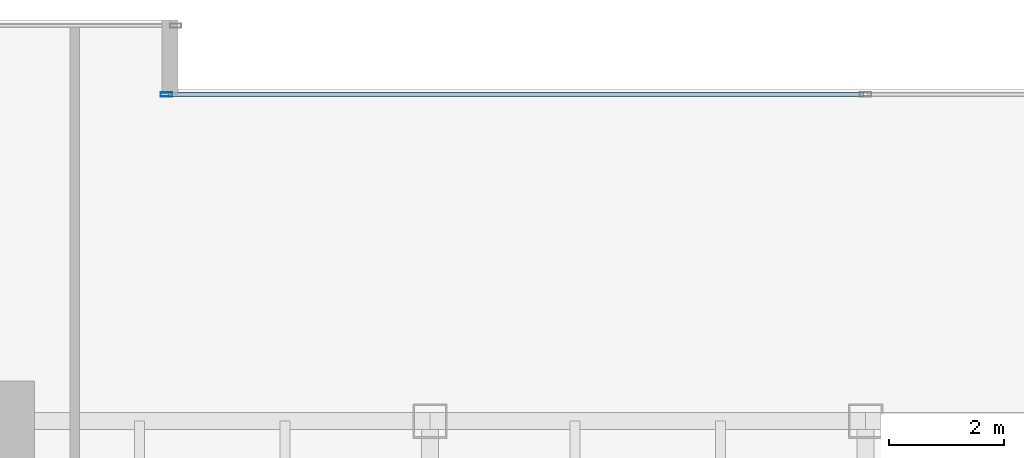
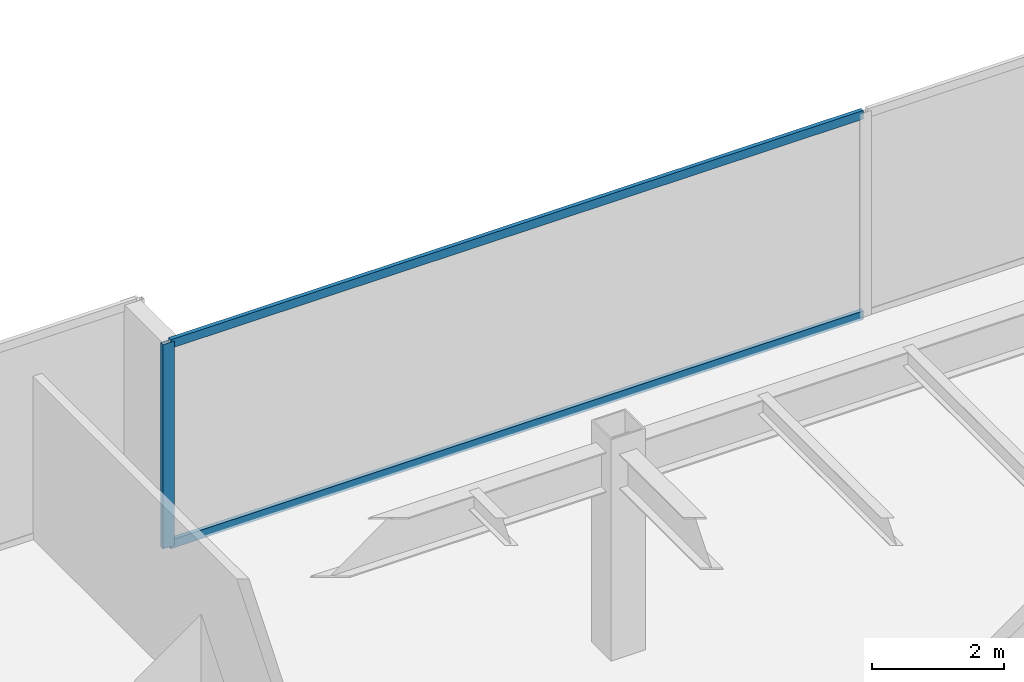
# One storey, part 14 of 35: 3 members, 1 element without a shape of its own.
"""IFC4 building model written with IfcOpenShell, lengths in metres."""

from ifc_helpers import new_model, si_unit, direction, frame, origin, origin_2d, place, context, subcontext, project, spatial, hollow_rectangle, extrude, source, transform, mapped, material, layer, layer_set, material_profile, profile_set, type_object, type_shapes, element, aggregate, save


model = new_model("IFC4")

# Units and contexts
model_context = context("Model", 3, precision=1e-05, world=origin(), true_north=direction((0.0, 1.0)))
body_context = subcontext(model_context, "Body", "Model", "MODEL_VIEW")
ifc_project = project(units=[si_unit("LENGTHUNIT", "METRE"), si_unit("AREAUNIT", "SQUARE_METRE"), si_unit("VOLUMEUNIT", "CUBIC_METRE"), si_unit("PLANEANGLEUNIT", "RADIAN"), si_unit("MASSUNIT", "GRAM", prefix="KILO")], contexts=[model_context])

# Site, building, storey
site_placement = place(None, origin())
site = spatial("IfcSite", under=ifc_project, at=site_placement, CompositionType="ELEMENT")
building_placement = place(site_placement, origin())
building = spatial("IfcBuilding", under=site, at=building_placement, Name="Haelvirn Gate Laboratories", CompositionType="ELEMENT")
storey_placement = place(building_placement, frame((0.0, 0.0, 82.60009765625)))
storey = spatial("IfcBuildingStorey", under=building, at=storey_placement, Name="L20", CompositionType="ELEMENT", Elevation=82.60009765625)

# Curtain wall, members
ifc_material_1 = material(Name="Anodised bronze unitised aluminium & triple low-E glass", Category="aluminium")
ifc_layer = layer(ifc_material_1, 0.18408203125, Name="CW-SYS-2")
ifc_layer_set = layer_set([ifc_layer], Name="Anodised bronze unitised aluminium & triple low-E glass")
curtain_wall_type = type_object("IfcCurtainWallType", Name="CW-SYS-2", PredefinedType="NOTDEFINED", material=ifc_layer_set)
curtain_wall_placement = place(storey_placement, origin())
curtain_wall = element("IfcCurtainWall", 1, at=curtain_wall_placement, inside=storey, type_object=curtain_wall_type, Name="L20 Unitised Curtain Wall CW-L20-P0-E12-1", PredefinedType="NOTDEFINED")
ifc_material_2 = material(Name="Extruded aluminium 6063-T6 (anodised bronze)", Category="aluminium")
ifc_material_profile_1 = material_profile(ifc_material_2, hollow_rectangle(XDim=0.070068359375, YDim=0.159912109375, WallThickness=0.0048828125, at=origin_2d()), Name="CWT-160x70x5")
ifc_profile_set_1 = profile_set([ifc_material_profile_1], Name="Extruded aluminium 6063-T6 (anodised bronze)")
member_type_1 = type_object("IfcMemberType", Name="CWT-T160", PredefinedType="USERDEFINED", material=ifc_profile_set_1)
shared_shape_1 = source(origin(), body_context, "Body", "SweptSolid", [
    extrude(hollow_rectangle(XDim=0.070068359375, YDim=0.159912109375, WallThickness=0.0048828125, at=origin_2d()), origin(), (0.0, 0.0, 1.0), 12.12744140625),
])
type_shapes(member_type_1, [shared_shape_1])
member_1_placement = place(storey_placement, frame((25.235107421875, 47.300048828125, 0.034912109375), z_axis=(1.0, 0.0, 0.0), x_axis=(0.0, 1.0, 0.0)))
member_1 = element("IfcMember", 2, at=member_1_placement, type_object=member_type_1, Name="CW2 transom 1.1", ObjectType="TRANSOM", PredefinedType="USERDEFINED", context=body_context, shape_type="MappedRepresentation", body=[
    mapped(shared_shape_1, transform((0.0, 0.0, 0.0), scale=1.0)),
])
member_2_placement = place(storey_placement, frame((25.235107421875, 47.300048828125, 3.744873046875), z_axis=(1.0, 0.0, 0.0), x_axis=(0.0, 1.0, 0.0)))
member_2 = element("IfcMember", 3, at=member_2_placement, type_object=member_type_1, Name="CW2 transom 1.2", ObjectType="TRANSOM", PredefinedType="USERDEFINED", context=body_context, shape_type="MappedRepresentation", body=[
    mapped(shared_shape_1, transform((0.0, 0.0, 0.0), scale=1.0)),
])
ifc_material_profile_2 = material_profile(ifc_material_2, hollow_rectangle(XDim=0.074951171875, YDim=0.199951171875, WallThickness=0.0048828125, at=origin_2d()), Name="CWM-200x75x5")
ifc_profile_set_2 = profile_set([ifc_material_profile_2], Name="Extruded aluminium 6063-T6 (anodised bronze)")
member_type_2 = type_object("IfcMemberType", Name="CWM-T200", PredefinedType="MULLION", material=ifc_profile_set_2)
shared_shape_2 = source(origin(), body_context, "Body", "SweptSolid", [
    extrude(hollow_rectangle(XDim=0.074951171875, YDim=0.199951171875, WallThickness=0.0048828125, at=origin_2d()), origin(), (0.0, 0.0, 1.0), 3.77978515625),
])
type_shapes(member_type_2, [shared_shape_2])
member_3_placement = place(storey_placement, frame((25.197509765625, 47.300048828125, 0.0), z_axis=(0.0, 0.0, 1.0), x_axis=(0.0, 1.0, 0.0)))
member_3 = element("IfcMember", 4, at=member_3_placement, type_object=member_type_2, Name="CW2 mullion 1", PredefinedType="MULLION", context=body_context, shape_type="MappedRepresentation", body=[
    mapped(shared_shape_2, transform((0.0, 0.0, 0.0), scale=1.0)),
])
aggregate(curtain_wall, [member_3, member_1, member_2])

save(model, "model.ifc")
